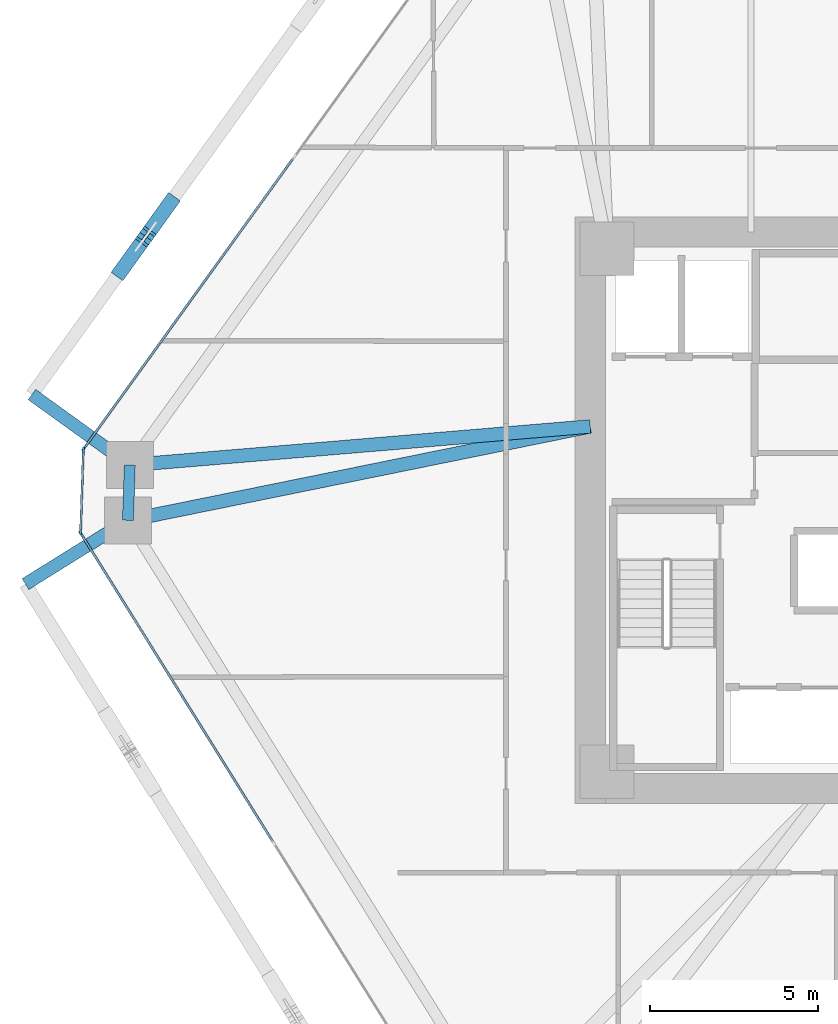
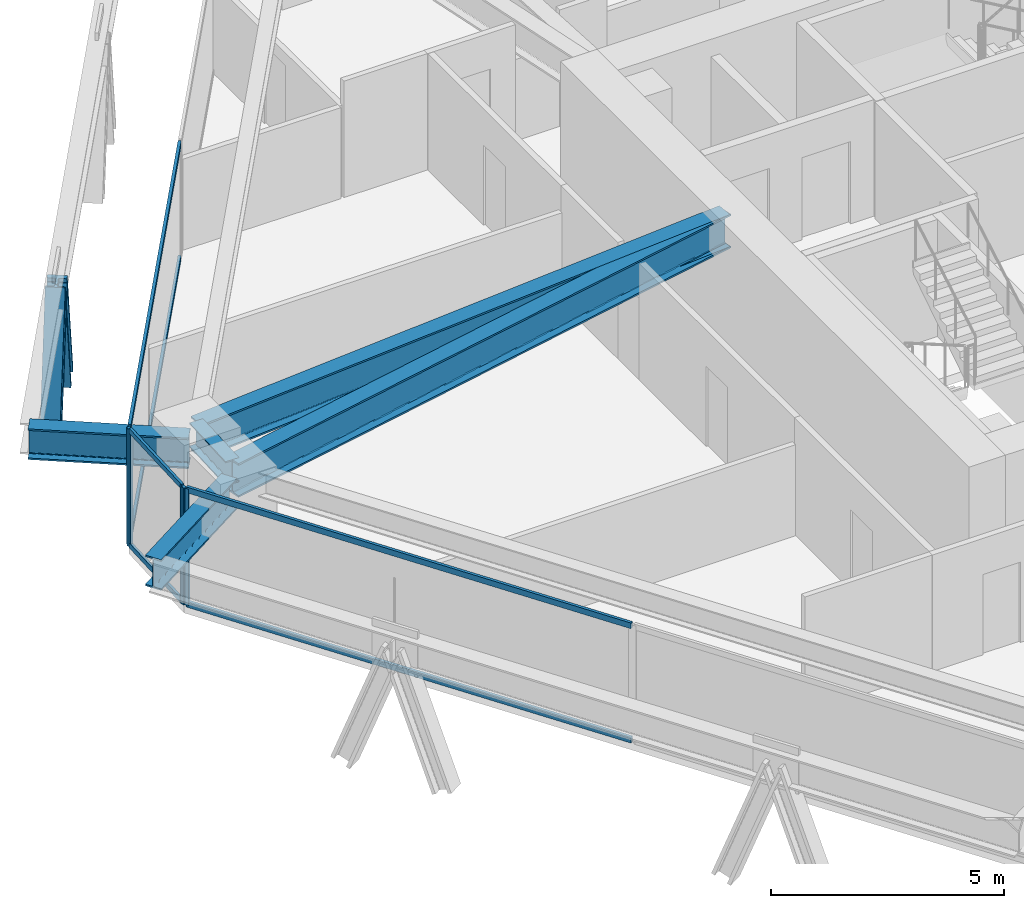
# One storey, part 4 of 17: 12 members, 5 beams, 3 elements without a shape of their own.
"""IFC4 building model written with IfcOpenShell, lengths in metres."""

from ifc_helpers import new_model, si_unit, direction, frame, origin, origin_2d, place, context, subcontext, project, spatial, rectangle, i_section, extrude, source, transform, mapped, material, layer, layer_set, material_profile, profile_set, type_object, type_shapes, element, aggregate, save


model = new_model("IFC4")

# Units and contexts
model_context = context("Model", 3, precision=1e-05, world=origin(), true_north=direction((0.0, 1.0)))
body_context = subcontext(model_context, "Body", "Model", "MODEL_VIEW")
ifc_project = project(units=[si_unit("LENGTHUNIT", "METRE"), si_unit("AREAUNIT", "SQUARE_METRE"), si_unit("VOLUMEUNIT", "CUBIC_METRE"), si_unit("PLANEANGLEUNIT", "RADIAN"), si_unit("MASSUNIT", "GRAM", prefix="KILO")], contexts=[model_context])

# Site, building, storey
site_placement = place(None, origin())
site = spatial("IfcSite", under=ifc_project, at=site_placement, CompositionType="ELEMENT")
building_placement = place(site_placement, origin())
building = spatial("IfcBuilding", under=site, at=building_placement, Name="Durnholm Broadcast Tower", CompositionType="ELEMENT")
storey_placement = place(building_placement, frame((0.0, 0.0, 45.60009765625)))
storey = spatial("IfcBuildingStorey", under=building, at=storey_placement, Name="L10", CompositionType="ELEMENT", Elevation=45.60009765625)

# Beams
ifc_material_1 = material(Name="Steel ASTM A992 Grade 50", Category="steel")
ifc_material_profile_1 = material_profile(ifc_material_1, i_section(OverallWidth=0.3291015625, OverallDepth=0.635009765625, WebThickness=0.017822265625, FlangeThickness=0.031005859375, FilletRadius=0.02783203125, at=origin_2d()), Name="W24X162")
ifc_profile_set_1 = profile_set([ifc_material_profile_1], Name="Steel ASTM A992 Grade 50")
beam_type_1 = type_object("IfcBeamType", Name="STL-SP-W24X162", PredefinedType="SPANDREL", material=ifc_profile_set_1)
shared_shape_1 = source(origin(), body_context, "Body", "SweptSolid", [
    extrude(i_section(OverallWidth=0.3291015625, OverallDepth=0.635009765625, WebThickness=0.017822265625, FlangeThickness=0.031005859375, FilletRadius=0.02783203125, at=origin_2d()), origin(), (0.0, 0.0, 1.0), 1.648193359375),
])
type_shapes(beam_type_1, [shared_shape_1])
beam_1_placement = place(storey_placement, frame((-24.0908203125, -0.2998046875, 2.727294921875), z_axis=(0.033921477804, 0.999424501072, 0.0), x_axis=(-0.999424501072, 0.033921477804, 0.0)))
element("IfcBeam", 1, at=beam_1_placement, inside=storey, type_object=beam_type_1, Name="L10 perimeter spandrel girder 02", PredefinedType="SPANDREL", context=body_context, shape_type="MappedRepresentation", body=[
    mapped(shared_shape_1, transform((0.0, 0.0, 0.0), x_axis=(1.0, 0.0, 0.0), y_axis=(0.0, 1.0, 0.0), z_axis=(0.0, 0.0, 1.0), scale=1.0)),
])
ifc_material_profile_2 = material_profile(ifc_material_1, i_section(OverallWidth=0.404052734375, OverallDepth=0.885009765625, WebThickness=0.0244140625, FlangeThickness=0.0439453125, FilletRadius=0.03564453125, at=origin_2d()), Name="W33X291")
ifc_profile_set_2 = profile_set([ifc_material_profile_2], Name="Steel ASTM A992 Grade 50")
beam_type_2 = type_object("IfcBeamType", Name="STL-GR-W33X291", PredefinedType="USERDEFINED", material=ifc_profile_set_2)
shared_shape_2 = source(origin(), body_context, "Body", "SweptSolid", [
    extrude(i_section(OverallWidth=0.404052734375, OverallDepth=0.885009765625, WebThickness=0.0244140625, FlangeThickness=0.0439453125, FilletRadius=0.03564453125, at=origin_2d()), origin(), (0.0, 0.0, 1.0), 14.072021484375),
])
beam_2_placement = place(storey_placement, frame((-10.300048828125, 2.5, 2.602294921875), z_axis=(-0.980007356767, -0.198961254225, 0.0), x_axis=(0.198961254225, -0.980007356767, 0.0)))
element("IfcBeam", 2, at=beam_2_placement, inside=storey, type_object=beam_type_2, Name="L10 radial primary floor girder 02", ObjectType="GIRDER", PredefinedType="USERDEFINED", context=body_context, shape_type="MappedRepresentation", body=[
    mapped(shared_shape_2, transform((0.0, 0.0, 0.0), x_axis=(1.0, 0.0, 0.0), y_axis=(0.0, 1.0, 0.0), z_axis=(0.0, 0.0, 1.0), scale=1.0)),
])
shared_shape_3 = source(origin(), body_context, "Body", "SweptSolid", [
    extrude(i_section(OverallWidth=0.404052734375, OverallDepth=0.885009765625, WebThickness=0.0244140625, FlangeThickness=0.0439453125, FilletRadius=0.03564453125, at=origin_2d()), origin(), (0.0, 0.0, 1.0), 13.783203125),
])
type_shapes(beam_type_2, [shared_shape_2, shared_shape_3])
beam_3_placement = place(storey_placement, frame((-10.300048828125, 2.5, 2.602294921875), z_axis=(-0.996497460403, -0.083623031579, 0.0), x_axis=(0.083623031579, -0.996497460403, 0.0)))
element("IfcBeam", 3, at=beam_3_placement, inside=storey, type_object=beam_type_2, Name="L10 radial primary floor girder 03", ObjectType="GIRDER", PredefinedType="USERDEFINED", context=body_context, shape_type="MappedRepresentation", body=[
    mapped(shared_shape_3, transform((0.0, 0.0, 0.0), x_axis=(1.0, 0.0, 0.0), y_axis=(0.0, 1.0, 0.0), z_axis=(0.0, 0.0, 1.0), scale=1.0)),
])
ifc_material_profile_3 = material_profile(ifc_material_1, i_section(OverallWidth=0.385009765625, OverallDepth=0.802978515625, WebThickness=0.023681640625, FlangeThickness=0.0419921875, FilletRadius=0.032958984375, at=origin_2d()), Name="W30X261")
ifc_profile_set_3 = profile_set([ifc_material_profile_3], Name="Steel ASTM A992 Grade 50")
beam_type_3 = type_object("IfcBeamType", Name="BM-EXO-TIE", PredefinedType="USERDEFINED", material=ifc_profile_set_3)
shared_shape_4 = source(origin(), body_context, "Body", "SweptSolid", [
    extrude(i_section(OverallWidth=0.385009765625, OverallDepth=0.802978515625, WebThickness=0.023681640625, FlangeThickness=0.0419921875, FilletRadius=0.032958984375, at=origin_2d()), origin(), (0.0, 0.0, 1.0), 3.4560546875),
])
beam_4_placement = place(storey_placement, frame((-24.212890625, -0.375732421875, 2.308349609375), z_axis=(-0.848874183218, -0.528594949906, 0.0), x_axis=(0.528594949906, -0.848874183218, 0.0)))
element("IfcBeam", 4, at=beam_4_placement, inside=storey, type_object=beam_type_3, Name="L10 exoskeleton stand-off tie bracket F6.1", ObjectType="GIRDER", PredefinedType="USERDEFINED", context=body_context, shape_type="MappedRepresentation", body=[
    mapped(shared_shape_4, transform((0.0, 0.0, 0.0), x_axis=(1.0, 0.0, 0.0), y_axis=(0.0, 1.0, 0.0), z_axis=(0.0, 0.0, 1.0), scale=1.0)),
])
shared_shape_5 = source(origin(), body_context, "Body", "SweptSolid", [
    extrude(i_section(OverallWidth=0.385009765625, OverallDepth=0.802978515625, WebThickness=0.023681640625, FlangeThickness=0.0419921875, FilletRadius=0.032958984375, at=origin_2d()), origin(), (0.0, 0.0, 1.0), 3.455810546875),
])
type_shapes(beam_type_3, [shared_shape_4, shared_shape_5])
beam_5_placement = place(storey_placement, frame((-24.15185546875, 1.431396484375, 2.308349609375), z_axis=(-0.811133512552, 0.584861030344, 0.0), x_axis=(-0.584861030344, -0.811133512552, 0.0)))
element("IfcBeam", 5, at=beam_5_placement, inside=storey, type_object=beam_type_3, Name="L10 exoskeleton stand-off tie bracket F5.2", ObjectType="GIRDER", PredefinedType="USERDEFINED", context=body_context, shape_type="MappedRepresentation", body=[
    mapped(shared_shape_5, transform((0.0, 0.0, 0.0), x_axis=(1.0, 0.0, 0.0), y_axis=(0.0, 1.0, 0.0), z_axis=(0.0, 0.0, 1.0), scale=1.0)),
])

# Members
ifc_material_2 = material(Name="Steel ASTM A913 Grade 65", Category="steel")
ifc_material_profile_4 = material_profile(ifc_material_2, i_section(OverallWidth=0.43212890625, OverallDepth=0.497802734375, WebThickness=0.0556640625, FlangeThickness=0.0888671875, FilletRadius=0.030517578125, at=origin_2d()), Name="W14X500")
ifc_profile_set_4 = profile_set([ifc_material_profile_4], Name="Steel ASTM A913 Grade 65")
member_type_1 = type_object("IfcMemberType", Name="STL-DG-W14X500", PredefinedType="BRACE", material=ifc_profile_set_4)
shared_shape_6 = source(origin(), body_context, "Body", "SweptSolid", [
    extrude(i_section(OverallWidth=0.43212890625, OverallDepth=0.497802734375, WebThickness=0.0556640625, FlangeThickness=0.0888671875, FilletRadius=0.030517578125, at=origin_2d()), origin(), (0.0, 0.0, 1.0), 3.52294921875),
])
type_shapes(member_type_1, [shared_shape_6])
for number, where, z_axis, x_axis, name in (
    (6, (-22.837890625, 9.163330078125, -0.991455078125), (-0.204852434815, -0.28406296695, 0.936666275019), (0.81109123444, -0.58491966065, 0.0), "L10 stand-off diagrid brace F5.D2.1"),
    (7, (-24.281005859375, 7.161865234375, -0.991455078125), (0.204786041012, 0.284066999022, 0.93667957033), (-0.811185111535, 0.584789461963, 0.0), "L10 stand-off diagrid brace F5.D2.2"),
):
    element("IfcMember", number, at=place(storey_placement, frame(where, z_axis=z_axis, x_axis=x_axis)), inside=storey, type_object=member_type_1, Name=name, PredefinedType="BRACE", context=body_context, shape_type="MappedRepresentation", body=[
        mapped(shared_shape_6, transform((0.0, 0.0, 0.0), x_axis=(1.0, 0.0, 0.0), y_axis=(0.0, 1.0, 0.0), z_axis=(0.0, 0.0, 1.0), scale=1.0)),
    ])

# Curtain wall, members
ifc_material_3 = material(Name="Aluminium and Solar Control IGU", Category="aluminium")
ifc_layer_1 = layer(ifc_material_3, 0.1650390625)
ifc_layer_set_1 = layer_set([ifc_layer_1], Name="Aluminium and Solar Control IGU")
curtain_wall_type_1 = type_object("IfcCurtainWallType", Name="CW-SYS-5", PredefinedType="NOTDEFINED", material=ifc_layer_set_1)
curtain_wall_1_placement = place(storey_placement, origin())
curtain_wall_1 = element("IfcCurtainWall", 8, at=curtain_wall_1_placement, inside=storey, type_object=curtain_wall_type_1, Name="L10 curtain wall CW-CORNER CW-L10-CRN-01", PredefinedType="NOTDEFINED")
ifc_material_4 = material(Name="Aluminium 6063-T6", Category="aluminium")
ifc_material_profile_5 = material_profile(ifc_material_4, rectangle(XDim=0.06494140625, YDim=0.1298828125, at=origin_2d()), Name="CWT65X130")
ifc_profile_set_5 = profile_set([ifc_material_profile_5], Name="Aluminium 6063-T6")
member_type_2 = type_object("IfcMemberType", Name="CW-SYS-5-TRN", PredefinedType="USERDEFINED", material=ifc_profile_set_5)
shared_shape_7 = source(origin(), body_context, "Body", "SweptSolid", [
    extrude(rectangle(XDim=0.06494140625, YDim=0.1298828125, at=origin_2d()), origin(), (0.0, 0.0, 1.0), 2.3701171875),
])
type_shapes(member_type_2, [shared_shape_7])
member_1_placement = place(storey_placement, frame((-25.502197265625, -0.613037109375, 0.032470703125), z_axis=(0.033788158898, 0.999429017148, 0.0), x_axis=(-0.999429017148, 0.033788158898, 0.0)))
member_1 = element("IfcMember", 9, at=member_1_placement, type_object=member_type_2, Name="CW-CORNER transom 1.1", ObjectType="TRANSOM", PredefinedType="USERDEFINED", context=body_context, shape_type="MappedRepresentation", body=[
    mapped(shared_shape_7, transform((0.0, 0.0, 0.0), x_axis=(1.0, 0.0, 0.0), y_axis=(0.0, 1.0, 0.0), z_axis=(0.0, 0.0, 1.0), scale=1.0)),
])
member_2_placement = place(storey_placement, frame((-25.502197265625, -0.613037109375, 3.02734375), z_axis=(0.033788158898, 0.999429017148, 0.0), x_axis=(-0.999429017148, 0.033788158898, 0.0)))
member_2 = element("IfcMember", 10, at=member_2_placement, type_object=member_type_2, Name="CW-CORNER transom 1.2", ObjectType="TRANSOM", PredefinedType="USERDEFINED", context=body_context, shape_type="MappedRepresentation", body=[
    mapped(shared_shape_7, transform((0.0, 0.0, 0.0), x_axis=(1.0, 0.0, 0.0), y_axis=(0.0, 1.0, 0.0), z_axis=(0.0, 0.0, 1.0), scale=1.0)),
])

ifc_layer_2 = layer(ifc_material_3, 0.18994140625)
ifc_layer_set_2 = layer_set([ifc_layer_2], Name="Aluminium and Solar Control IGU")
curtain_wall_type_2 = type_object("IfcCurtainWallType", Name="CW-SYS-3", PredefinedType="NOTDEFINED", material=ifc_layer_set_2)
curtain_wall_2_placement = place(storey_placement, origin())
curtain_wall_2 = element("IfcCurtainWall", 11, at=curtain_wall_2_placement, inside=storey, type_object=curtain_wall_type_2, Name="L10 curtain wall CW-Z12-VIS CW-L10-F02", PredefinedType="NOTDEFINED")
ifc_material_profile_6 = material_profile(ifc_material_4, rectangle(XDim=0.070068359375, YDim=0.14990234375, at=origin_2d()), Name="CWT70X150")
ifc_profile_set_6 = profile_set([ifc_material_profile_6], Name="Aluminium 6063-T6")
member_type_3 = type_object("IfcMemberType", Name="CW-SYS-3-TRN", PredefinedType="USERDEFINED", material=ifc_profile_set_6)
shared_shape_8 = source(origin(), body_context, "Body", "SweptSolid", [
    extrude(rectangle(XDim=0.070068359375, YDim=0.14990234375, at=origin_2d()), origin(), (0.0, 0.0, 1.0), 10.6455078125),
])
member_3_placement = place(storey_placement, frame((-25.37890625, 1.877197265625, 0.034912109375), z_axis=(0.584812103659, 0.811168788486, 0.0), x_axis=(-0.811168788486, 0.584812103659, 0.0)))
member_3 = element("IfcMember", 12, at=member_3_placement, type_object=member_type_3, Name="CW-Z12-VIS transom 1.1", ObjectType="TRANSOM", PredefinedType="USERDEFINED", context=body_context, shape_type="MappedRepresentation", body=[
    mapped(shared_shape_8, transform((0.0, 0.0, 0.0), x_axis=(1.0, 0.0, 0.0), y_axis=(0.0, 1.0, 0.0), z_axis=(0.0, 0.0, 1.0), scale=1.0)),
])
member_4_placement = place(storey_placement, frame((-25.37890625, 1.877197265625, 3.02490234375), z_axis=(0.584812103659, 0.811168788486, 0.0), x_axis=(-0.811168788486, 0.584812103659, 0.0)))
member_4 = element("IfcMember", 13, at=member_4_placement, type_object=member_type_3, Name="CW-Z12-VIS transom 1.2", ObjectType="TRANSOM", PredefinedType="USERDEFINED", context=body_context, shape_type="MappedRepresentation", body=[
    mapped(shared_shape_8, transform((0.0, 0.0, 0.0), x_axis=(1.0, 0.0, 0.0), y_axis=(0.0, 1.0, 0.0), z_axis=(0.0, 0.0, 1.0), scale=1.0)),
])

curtain_wall_3_placement = place(storey_placement, origin())
curtain_wall_3 = element("IfcCurtainWall", 14, at=curtain_wall_3_placement, inside=storey, type_object=curtain_wall_type_2, Name="L10 curtain wall CW-Z12-VIS CW-L10-F12", PredefinedType="NOTDEFINED")
shared_shape_9 = source(origin(), body_context, "Body", "SweptSolid", [
    extrude(rectangle(XDim=0.070068359375, YDim=0.14990234375, at=origin_2d()), origin(), (0.0, 0.0, 1.0), 10.796630859375),
])
type_shapes(member_type_3, [shared_shape_8, shared_shape_9])
member_5_placement = place(storey_placement, frame((-19.760498046875, -9.902587890625, 0.034912109375), z_axis=(-0.528575362968, 0.848886379714, 0.0), x_axis=(-0.848886379714, -0.528575362968, 0.0)))
member_5 = element("IfcMember", 15, at=member_5_placement, type_object=member_type_3, Name="CW-Z12-VIS transom 2.1", ObjectType="TRANSOM", PredefinedType="USERDEFINED", context=body_context, shape_type="MappedRepresentation", body=[
    mapped(shared_shape_9, transform((0.0, 0.0, 0.0), x_axis=(1.0, 0.0, 0.0), y_axis=(0.0, 1.0, 0.0), z_axis=(0.0, 0.0, 1.0), scale=1.0)),
])
member_6_placement = place(storey_placement, frame((-19.760498046875, -9.902587890625, 3.02490234375), z_axis=(-0.528575362968, 0.848886379714, 0.0), x_axis=(-0.848886379714, -0.528575362968, 0.0)))
member_6 = element("IfcMember", 16, at=member_6_placement, type_object=member_type_3, Name="CW-Z12-VIS transom 2.2", ObjectType="TRANSOM", PredefinedType="USERDEFINED", context=body_context, shape_type="MappedRepresentation", body=[
    mapped(shared_shape_9, transform((0.0, 0.0, 0.0), x_axis=(1.0, 0.0, 0.0), y_axis=(0.0, 1.0, 0.0), z_axis=(0.0, 0.0, 1.0), scale=1.0)),
])

# Member
ifc_material_profile_7 = material_profile(ifc_material_4, rectangle(XDim=0.06494140625, YDim=0.1650390625, at=origin_2d()), Name="CWM65X165")
ifc_profile_set_7 = profile_set([ifc_material_profile_7], Name="Aluminium 6063-T6")
member_type_4 = type_object("IfcMemberType", Name="CW-SYS-5-MUL", PredefinedType="MULLION", material=ifc_profile_set_7)
shared_shape_10 = source(origin(), body_context, "Body", "SweptSolid", [
    extrude(rectangle(XDim=0.06494140625, YDim=0.1650390625, at=origin_2d()), origin(), (0.0, 0.0, 1.0), 3.059814453125),
])
type_shapes(member_type_4, [shared_shape_10])
member_7_placement = place(storey_placement, frame((-25.50341796875, -0.6455078125, 0.0), z_axis=(0.0, 0.0, 1.0), x_axis=(-0.999427277772, 0.033839569233, 0.0)))
member_7 = element("IfcMember", 17, at=member_7_placement, type_object=member_type_4, Name="CW-CORNER mullion 1", PredefinedType="MULLION", context=body_context, shape_type="MappedRepresentation", body=[
    mapped(shared_shape_10, transform((0.0, 0.0, 0.0), x_axis=(1.0, 0.0, 0.0), y_axis=(0.0, 1.0, 0.0), z_axis=(0.0, 0.0, 1.0), scale=1.0)),
])

member_8_placement = place(storey_placement, frame((-25.4208984375, 1.7880859375, 0.0), z_axis=(0.0, 0.0, 1.0), x_axis=(-0.999427277772, 0.033839569233, 0.0)))
member_8 = element("IfcMember", 18, at=member_8_placement, type_object=member_type_4, Name="CW-CORNER mullion 2", PredefinedType="MULLION", context=body_context, shape_type="MappedRepresentation", body=[
    mapped(shared_shape_10, transform((0.0, 0.0, 0.0), x_axis=(1.0, 0.0, 0.0), y_axis=(0.0, 1.0, 0.0), z_axis=(0.0, 0.0, 1.0), scale=1.0)),
])

aggregate(curtain_wall_1, [member_7, member_8, member_1, member_2])

ifc_material_profile_8 = material_profile(ifc_material_4, rectangle(XDim=0.070068359375, YDim=0.18994140625, at=origin_2d()), Name="CWM70X190")
ifc_profile_set_8 = profile_set([ifc_material_profile_8], Name="Aluminium 6063-T6")
member_type_5 = type_object("IfcMemberType", Name="CW-SYS-3-MUL", PredefinedType="MULLION", material=ifc_profile_set_8)
shared_shape_11 = source(origin(), body_context, "Body", "SweptSolid", [
    extrude(rectangle(XDim=0.070068359375, YDim=0.18994140625, at=origin_2d()), origin(), (0.0, 0.0, 1.0), 3.059814453125),
])
type_shapes(member_type_5, [shared_shape_11])
member_9_placement = place(storey_placement, frame((-25.3994140625, 1.848876953125, 0.0), z_axis=(0.0, 0.0, 1.0), x_axis=(-0.81116057493, 0.584823496176, 0.0)))
member_9 = element("IfcMember", 19, at=member_9_placement, type_object=member_type_5, Name="CW-Z12-VIS mullion 1", PredefinedType="MULLION", context=body_context, shape_type="MappedRepresentation", body=[
    mapped(shared_shape_11, transform((0.0, 0.0, 0.0), x_axis=(1.0, 0.0, 0.0), y_axis=(0.0, 1.0, 0.0), z_axis=(0.0, 0.0, 1.0), scale=1.0)),
])

aggregate(curtain_wall_2, [member_9, member_3, member_4])

member_10_placement = place(storey_placement, frame((-25.48583984375, -0.707763671875, 0.0), z_axis=(0.0, 0.0, 1.0), x_axis=(-0.848875785503, -0.528592376777, 0.0)))
member_10 = element("IfcMember", 20, at=member_10_placement, type_object=member_type_5, Name="CW-Z12-VIS mullion 3", PredefinedType="MULLION", context=body_context, shape_type="MappedRepresentation", body=[
    mapped(shared_shape_11, transform((0.0, 0.0, 0.0), x_axis=(1.0, 0.0, 0.0), y_axis=(0.0, 1.0, 0.0), z_axis=(0.0, 0.0, 1.0), scale=1.0)),
])

aggregate(curtain_wall_3, [member_10, member_5, member_6])

save(model, "model.ifc")
